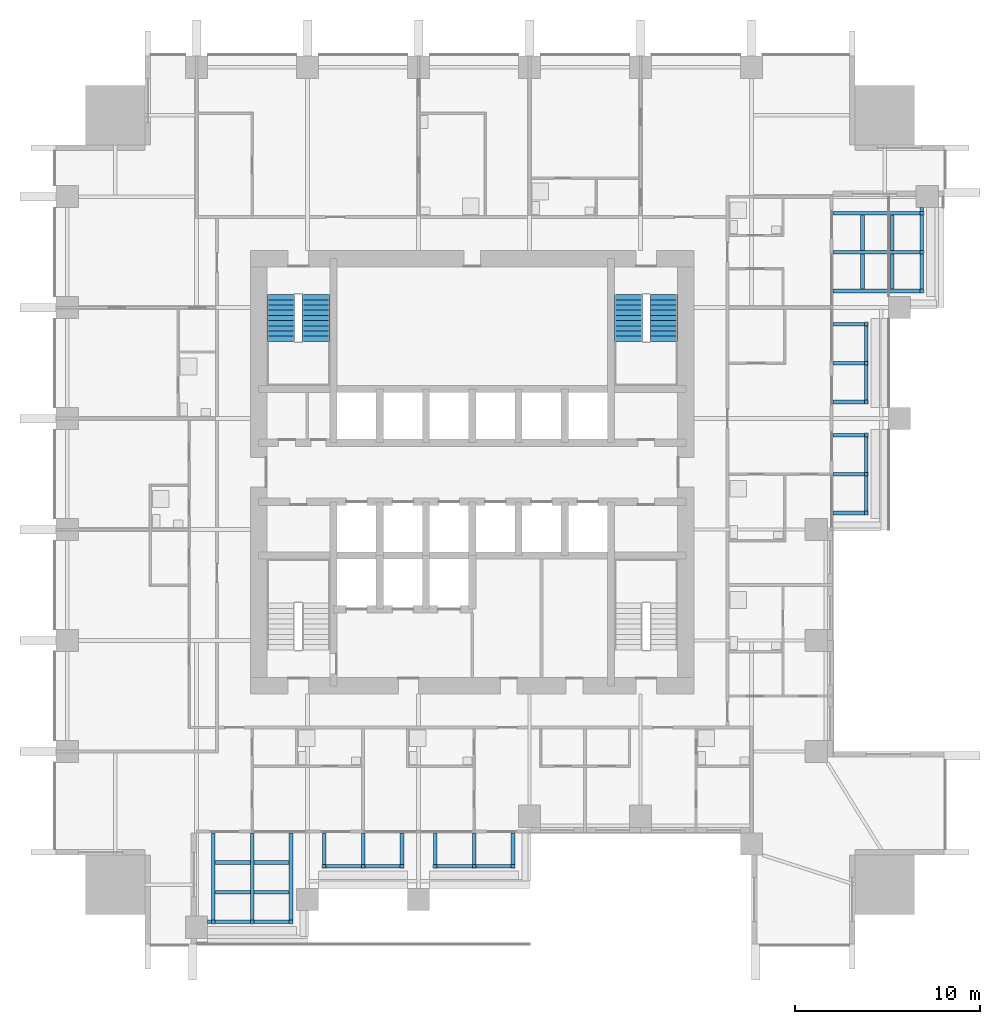
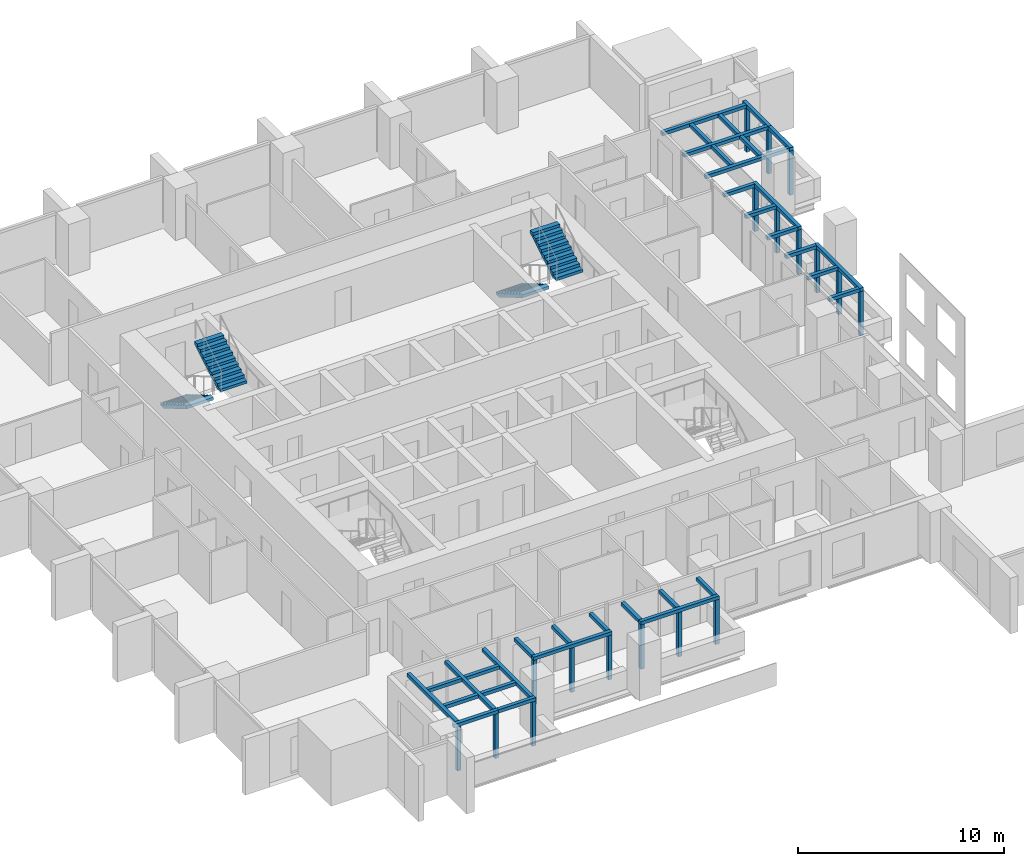
# One storey, part 12 of 15: 52 discrete accessories, 4 stair flights, 2 elements without a shape of their own.
"""IFC4 building model written with IfcOpenShell, lengths in metres."""

from ifc_helpers import new_model, si_unit, direction, frame, origin, origin_2d, place, context, subcontext, project, spatial, polyline, rectangle, outline, extrude, material, type_object, element, aggregate, save


model = new_model("IFC4")

# Units and contexts
model_context = context("Model", 3, precision=1e-05, world=origin(), true_north=direction((0.0, 1.0)))
body_context = subcontext(model_context, "Body", "Model", "MODEL_VIEW")
ifc_project = project(units=[si_unit("LENGTHUNIT", "METRE"), si_unit("AREAUNIT", "SQUARE_METRE"), si_unit("VOLUMEUNIT", "CUBIC_METRE"), si_unit("PLANEANGLEUNIT", "RADIAN"), si_unit("MASSUNIT", "GRAM", prefix="KILO")], contexts=[model_context])

# Site, building, storey
site_placement = place(None, origin())
site = spatial("IfcSite", under=ifc_project, at=site_placement, CompositionType="ELEMENT")
building_placement = place(site_placement, origin())
building = spatial("IfcBuilding", under=site, at=building_placement, Name="Amberfall Residences", CompositionType="ELEMENT")
storey_placement = place(building_placement, frame((0.0, 0.0, 53.199951171875)))
storey = spatial("IfcBuildingStorey", under=building, at=storey_placement, Name="L14", CompositionType="ELEMENT", Elevation=53.199951171875)

# Stair, stair flights
ifc_material = material(Name="Concrete C40", Category="concrete")
stair_type = type_object("IfcStairType", Name="Exit stair 20 risers 165.0 mm", PredefinedType="HALF_TURN_STAIR", material=ifc_material)
stair_1_placement = place(storey_placement, origin())
stair_1 = element("IfcStair", 1, at=stair_1_placement, inside=storey, type_object=stair_type, Name="L14 Exit stair 3", PredefinedType="HALF_TURN_STAIR")
stair_flight_type = type_object("IfcStairFlightType", Name="Stair flight 10 risers 165.0 mm", PredefinedType="STRAIGHT", material=ifc_material)
stair_flight_1_placement = place(storey_placement, frame((82.949951171875, 55.10009765625, 0.0), z_axis=(0.0, 0.0, 1.0), x_axis=(0.0, -1.0, 0.0)))
stair_flight_1 = element("IfcStairFlight", 2, at=stair_flight_1_placement, type_object=stair_flight_type, Name="ST3 flight 1", NumberOfRisers=10, NumberOfTreads=9, PredefinedType="STRAIGHT", RiserHeight=0.165, TreadLength=0.28, context=body_context, shape_type="SweptSolid", body=[
    extrude(outline(polyline([(0.0, 0.0), (0.0, 0.1650390625), (0.280029296875, 0.1650390625), (0.280029296875, 0.330078125), (0.56005859375, 0.330078125), (0.56005859375, 0.4951171875), (0.840087890625, 0.4951171875), (0.840087890625, 0.659912109375), (1.1201171875, 0.659912109375), (1.1201171875, 0.824951171875), (1.39990234375, 0.824951171875), (1.39990234375, 0.989990234375), (1.679931640625, 0.989990234375), (1.679931640625, 1.155029296875), (1.9599609375, 1.155029296875), (1.9599609375, 1.320068359375), (2.239990234375, 1.320068359375), (2.239990234375, 1.485107421875), (2.52001953125, 1.485107421875), (2.52001953125, 1.64990234375), (2.52001953125, 1.31103515625), (0.295166015625, 0.0), (0.0, 0.0)])), frame((0.0, 0.75, 0.0), z_axis=(0.0, -1.0, 0.0), x_axis=(1.0, 0.0, 0.0)), (0.0, 0.0, 1.0), 1.5),
])
stair_flight_2_placement = place(storey_placement, frame((84.85009765625, 52.580078125, 1.650146484375), z_axis=(0.0, 0.0, 1.0), x_axis=(0.0, 1.0, 0.0)))
stair_flight_2 = element("IfcStairFlight", 3, at=stair_flight_2_placement, type_object=stair_flight_type, Name="ST3 flight 2", NumberOfRisers=10, NumberOfTreads=9, PredefinedType="STRAIGHT", RiserHeight=0.165, TreadLength=0.28, context=body_context, shape_type="SweptSolid", body=[
    extrude(outline(polyline([(0.0, 0.0), (0.0, 0.1650390625), (0.280029296875, 0.1650390625), (0.280029296875, 0.330078125), (0.56005859375, 0.330078125), (0.56005859375, 0.4951171875), (0.840087890625, 0.4951171875), (0.840087890625, 0.659912109375), (1.1201171875, 0.659912109375), (1.1201171875, 0.824951171875), (1.39990234375, 0.824951171875), (1.39990234375, 0.989990234375), (1.679931640625, 0.989990234375), (1.679931640625, 1.155029296875), (1.9599609375, 1.155029296875), (1.9599609375, 1.320068359375), (2.239990234375, 1.320068359375), (2.239990234375, 1.485107421875), (2.52001953125, 1.485107421875), (2.52001953125, 1.64990234375), (2.52001953125, 1.31103515625), (0.295166015625, 0.0), (0.0, 0.0)])), frame((0.0, 0.75, 0.0), z_axis=(0.0, -1.0, 0.0), x_axis=(1.0, 0.0, 0.0)), (0.0, 0.0, 1.0), 1.5),
])
aggregate(stair_1, [stair_flight_1, stair_flight_2])

stair_2_placement = place(storey_placement, origin())
stair_2 = element("IfcStair", 4, at=stair_2_placement, inside=storey, type_object=stair_type, Name="L14 Exit stair 4", PredefinedType="HALF_TURN_STAIR")
stair_flight_3_placement = place(storey_placement, frame((64.14990234375, 55.10009765625, 0.0), z_axis=(0.0, 0.0, 1.0), x_axis=(0.0, -1.0, 0.0)))
stair_flight_3 = element("IfcStairFlight", 5, at=stair_flight_3_placement, type_object=stair_flight_type, Name="ST3 flight 1", NumberOfRisers=10, NumberOfTreads=9, PredefinedType="STRAIGHT", RiserHeight=0.165, TreadLength=0.28, context=body_context, shape_type="SweptSolid", body=[
    extrude(outline(polyline([(0.0, 0.0), (0.0, 0.1650390625), (0.280029296875, 0.1650390625), (0.280029296875, 0.330078125), (0.56005859375, 0.330078125), (0.56005859375, 0.4951171875), (0.840087890625, 0.4951171875), (0.840087890625, 0.659912109375), (1.1201171875, 0.659912109375), (1.1201171875, 0.824951171875), (1.39990234375, 0.824951171875), (1.39990234375, 0.989990234375), (1.679931640625, 0.989990234375), (1.679931640625, 1.155029296875), (1.9599609375, 1.155029296875), (1.9599609375, 1.320068359375), (2.239990234375, 1.320068359375), (2.239990234375, 1.485107421875), (2.52001953125, 1.485107421875), (2.52001953125, 1.64990234375), (2.52001953125, 1.31103515625), (0.295166015625, 0.0), (0.0, 0.0)])), frame((0.0, 0.75, 0.0), z_axis=(0.0, -1.0, 0.0), x_axis=(1.0, 0.0, 0.0)), (0.0, 0.0, 1.0), 1.5),
])
stair_flight_4_placement = place(storey_placement, frame((66.050048828125, 52.580078125, 1.650146484375), z_axis=(0.0, 0.0, 1.0), x_axis=(0.0, 1.0, 0.0)))
stair_flight_4 = element("IfcStairFlight", 6, at=stair_flight_4_placement, type_object=stair_flight_type, Name="ST3 flight 2", NumberOfRisers=10, NumberOfTreads=9, PredefinedType="STRAIGHT", RiserHeight=0.165, TreadLength=0.28, context=body_context, shape_type="SweptSolid", body=[
    extrude(outline(polyline([(0.0, 0.0), (0.0, 0.1650390625), (0.280029296875, 0.1650390625), (0.280029296875, 0.330078125), (0.56005859375, 0.330078125), (0.56005859375, 0.4951171875), (0.840087890625, 0.4951171875), (0.840087890625, 0.659912109375), (1.1201171875, 0.659912109375), (1.1201171875, 0.824951171875), (1.39990234375, 0.824951171875), (1.39990234375, 0.989990234375), (1.679931640625, 0.989990234375), (1.679931640625, 1.155029296875), (1.9599609375, 1.155029296875), (1.9599609375, 1.320068359375), (2.239990234375, 1.320068359375), (2.239990234375, 1.485107421875), (2.52001953125, 1.485107421875), (2.52001953125, 1.64990234375), (2.52001953125, 1.31103515625), (0.295166015625, 0.0), (0.0, 0.0)])), frame((0.0, 0.75, 0.0), z_axis=(0.0, -1.0, 0.0), x_axis=(1.0, 0.0, 0.0)), (0.0, 0.0, 1.0), 1.5),
])
aggregate(stair_2, [stair_flight_3, stair_flight_4])

# Discrete accessories
for number, where, z_axis, x_axis, name in (
    (7, (60.5, 21.199951171875, 0.0), (0.0, 0.0, 1.0), (1.0, 0.0, 0.0), "Trellis post L14 S1.1"),
    (8, (62.60009765625, 21.199951171875, 0.0), (0.0, 0.0, 1.0), (1.0, 0.0, 0.0), "Trellis post L14 S1.2"),
    (9, (64.699951171875, 21.199951171875, 0.0), (0.0, 0.0, 1.0), (1.0, 0.0, 0.0), "Trellis post L14 S1.3"),
):
    element("IfcDiscreteAccessory", number, at=place(storey_placement, frame(where, z_axis=z_axis, x_axis=x_axis)), inside=storey, Name=name, ObjectType="TRELLIS POST", PredefinedType="USERDEFINED", context=body_context, shape_type="SweptSolid", body=[
        extrude(rectangle(XDim=0.199951171875, YDim=0.199951171875, at=origin_2d()), origin(), (0.0, 0.0, 1.0), 2.6298828125),
    ])
discrete_accessory_1_placement = place(storey_placement, frame((61.449951171875, 21.199951171875, 2.6298828125), z_axis=(0.0, 0.0, 1.0), x_axis=(1.0, 0.0, 0.0)))
element("IfcDiscreteAccessory", 10, at=discrete_accessory_1_placement, inside=storey, Name="Trellis beam L14 S1.e1", ObjectType="TRELLIS BEAM", PredefinedType="USERDEFINED", context=body_context, shape_type="SweptSolid", body=[
    extrude(rectangle(XDim=2.5, YDim=0.199951171875, at=origin_2d()), origin(), (0.0, 0.0, 1.0), 0.199951171875),
])
discrete_accessory_2_placement = place(storey_placement, frame((63.75, 21.199951171875, 2.6298828125), z_axis=(0.0, 0.0, 1.0), x_axis=(1.0, 0.0, 0.0)))
element("IfcDiscreteAccessory", 11, at=discrete_accessory_2_placement, inside=storey, Name="Trellis beam L14 S1.e1.2", ObjectType="TRELLIS BEAM", PredefinedType="USERDEFINED", context=body_context, shape_type="SweptSolid", body=[
    extrude(rectangle(XDim=2.10009765625, YDim=0.199951171875, at=origin_2d()), origin(), (0.0, 0.0, 1.0), 0.199951171875),
])
for number, where, z_axis, x_axis, name in (
    (12, (61.550048828125, 22.800048828125, 2.6298828125), (0.0, 0.0, 1.0), (1.0, 0.0, 0.0), "Trellis beam L14 S1.c1.1"),
    (13, (63.64990234375, 22.800048828125, 2.6298828125), (0.0, 0.0, 1.0), (1.0, 0.0, 0.0), "Trellis beam L14 S1.c1.2"),
    (14, (61.550048828125, 24.39990234375, 2.6298828125), (0.0, 0.0, 1.0), (1.0, 0.0, 0.0), "Trellis beam L14 S1.c2.1"),
    (15, (63.64990234375, 24.39990234375, 2.6298828125), (0.0, 0.0, 1.0), (1.0, 0.0, 0.0), "Trellis beam L14 S1.c2.2"),
):
    element("IfcDiscreteAccessory", number, at=place(storey_placement, frame(where, z_axis=z_axis, x_axis=x_axis)), inside=storey, Name=name, ObjectType="TRELLIS BEAM", PredefinedType="USERDEFINED", context=body_context, shape_type="SweptSolid", body=[
        extrude(rectangle(XDim=1.89990234375, YDim=0.199951171875, at=origin_2d()), origin(), (0.0, 0.0, 1.0), 0.199951171875),
    ])
for number, where, z_axis, x_axis, name in (
    (16, (60.5, 23.64990234375, 2.6298828125), (0.0, 0.0, 1.0), (0.0, 1.0, 0.0), "Trellis beam L14 S1.b1"),
    (17, (62.60009765625, 23.64990234375, 2.6298828125), (0.0, 0.0, 1.0), (0.0, 1.0, 0.0), "Trellis beam L14 S1.b2"),
    (18, (64.699951171875, 23.64990234375, 2.6298828125), (0.0, 0.0, 1.0), (0.0, 1.0, 0.0), "Trellis beam L14 S1.b3"),
):
    element("IfcDiscreteAccessory", number, at=place(storey_placement, frame(where, z_axis=z_axis, x_axis=x_axis)), inside=storey, Name=name, ObjectType="TRELLIS BEAM", PredefinedType="USERDEFINED", context=body_context, shape_type="SweptSolid", body=[
        extrude(rectangle(XDim=4.699951171875, YDim=0.199951171875, at=origin_2d()), origin(), (0.0, 0.0, 1.0), 0.199951171875),
    ])
for number, where, z_axis, x_axis, name in (
    (19, (66.5, 24.199951171875, 0.0), (0.0, 0.0, 1.0), (1.0, 0.0, 0.0), "Trellis post L14 S2.1"),
    (20, (68.60009765625, 24.199951171875, 0.0), (0.0, 0.0, 1.0), (1.0, 0.0, 0.0), "Trellis post L14 S2.2"),
    (21, (70.699951171875, 24.199951171875, 0.0), (0.0, 0.0, 1.0), (1.0, 0.0, 0.0), "Trellis post L14 S2.3"),
):
    element("IfcDiscreteAccessory", number, at=place(storey_placement, frame(where, z_axis=z_axis, x_axis=x_axis)), inside=storey, Name=name, ObjectType="TRELLIS POST", PredefinedType="USERDEFINED", context=body_context, shape_type="SweptSolid", body=[
        extrude(rectangle(XDim=0.199951171875, YDim=0.199951171875, at=origin_2d()), origin(), (0.0, 0.0, 1.0), 2.6298828125),
    ])
discrete_accessory_3_placement = place(storey_placement, frame((68.60009765625, 24.199951171875, 2.6298828125), z_axis=(0.0, 0.0, 1.0), x_axis=(1.0, 0.0, 0.0)))
element("IfcDiscreteAccessory", 22, at=discrete_accessory_3_placement, inside=storey, Name="Trellis beam L14 S2.e1", ObjectType="TRELLIS BEAM", PredefinedType="USERDEFINED", context=body_context, shape_type="SweptSolid", body=[
    extrude(rectangle(XDim=4.39990234375, YDim=0.199951171875, at=origin_2d()), origin(), (0.0, 0.0, 1.0), 0.199951171875),
])
for number, where, z_axis, x_axis, name in (
    (23, (66.5, 25.14990234375, 2.6298828125), (0.0, 0.0, 1.0), (0.0, 1.0, 0.0), "Trellis beam L14 S2.b1"),
    (24, (68.60009765625, 25.14990234375, 2.6298828125), (0.0, 0.0, 1.0), (0.0, 1.0, 0.0), "Trellis beam L14 S2.b2"),
    (25, (70.699951171875, 25.14990234375, 2.6298828125), (0.0, 0.0, 1.0), (0.0, 1.0, 0.0), "Trellis beam L14 S2.b3"),
):
    element("IfcDiscreteAccessory", number, at=place(storey_placement, frame(where, z_axis=z_axis, x_axis=x_axis)), inside=storey, Name=name, ObjectType="TRELLIS BEAM", PredefinedType="USERDEFINED", context=body_context, shape_type="SweptSolid", body=[
        extrude(rectangle(XDim=1.699951171875, YDim=0.199951171875, at=origin_2d()), origin(), (0.0, 0.0, 1.0), 0.199951171875),
    ])
for number, where, z_axis, x_axis, name in (
    (26, (72.5, 24.199951171875, 0.0), (0.0, 0.0, 1.0), (1.0, 0.0, 0.0), "Trellis post L14 S3.1"),
    (27, (74.60009765625, 24.199951171875, 0.0), (0.0, 0.0, 1.0), (1.0, 0.0, 0.0), "Trellis post L14 S3.2"),
    (28, (76.699951171875, 24.199951171875, 0.0), (0.0, 0.0, 1.0), (1.0, 0.0, 0.0), "Trellis post L14 S3.3"),
):
    element("IfcDiscreteAccessory", number, at=place(storey_placement, frame(where, z_axis=z_axis, x_axis=x_axis)), inside=storey, Name=name, ObjectType="TRELLIS POST", PredefinedType="USERDEFINED", context=body_context, shape_type="SweptSolid", body=[
        extrude(rectangle(XDim=0.199951171875, YDim=0.199951171875, at=origin_2d()), origin(), (0.0, 0.0, 1.0), 2.6298828125),
    ])
discrete_accessory_4_placement = place(storey_placement, frame((74.60009765625, 24.199951171875, 2.6298828125), z_axis=(0.0, 0.0, 1.0), x_axis=(1.0, 0.0, 0.0)))
element("IfcDiscreteAccessory", 29, at=discrete_accessory_4_placement, inside=storey, Name="Trellis beam L14 S3.e1", ObjectType="TRELLIS BEAM", PredefinedType="USERDEFINED", context=body_context, shape_type="SweptSolid", body=[
    extrude(rectangle(XDim=4.39990234375, YDim=0.199951171875, at=origin_2d()), origin(), (0.0, 0.0, 1.0), 0.199951171875),
])
for number, where, z_axis, x_axis, name in (
    (30, (72.5, 25.14990234375, 2.6298828125), (0.0, 0.0, 1.0), (0.0, 1.0, 0.0), "Trellis beam L14 S3.b1"),
    (31, (74.60009765625, 25.14990234375, 2.6298828125), (0.0, 0.0, 1.0), (0.0, 1.0, 0.0), "Trellis beam L14 S3.b2"),
    (32, (76.699951171875, 25.14990234375, 2.6298828125), (0.0, 0.0, 1.0), (0.0, 1.0, 0.0), "Trellis beam L14 S3.b3"),
):
    element("IfcDiscreteAccessory", number, at=place(storey_placement, frame(where, z_axis=z_axis, x_axis=x_axis)), inside=storey, Name=name, ObjectType="TRELLIS BEAM", PredefinedType="USERDEFINED", context=body_context, shape_type="SweptSolid", body=[
        extrude(rectangle(XDim=1.699951171875, YDim=0.199951171875, at=origin_2d()), origin(), (0.0, 0.0, 1.0), 0.199951171875),
    ])
for number, where, z_axis, x_axis, name in (
    (33, (95.800048828125, 43.300048828125, 0.0), (0.0, 0.0, 1.0), (1.0, 0.0, 0.0), "Trellis post L14 E3.1"),
    (34, (95.800048828125, 45.39990234375, 0.0), (0.0, 0.0, 1.0), (1.0, 0.0, 0.0), "Trellis post L14 E3.2"),
    (35, (95.800048828125, 47.5, 0.0), (0.0, 0.0, 1.0), (1.0, 0.0, 0.0), "Trellis post L14 E3.3"),
):
    element("IfcDiscreteAccessory", number, at=place(storey_placement, frame(where, z_axis=z_axis, x_axis=x_axis)), inside=storey, Name=name, ObjectType="TRELLIS POST", PredefinedType="USERDEFINED", context=body_context, shape_type="SweptSolid", body=[
        extrude(rectangle(XDim=0.199951171875, YDim=0.199951171875, at=origin_2d()), origin(), (0.0, 0.0, 1.0), 2.6298828125),
    ])
discrete_accessory_5_placement = place(storey_placement, frame((95.800048828125, 45.39990234375, 2.6298828125), z_axis=(0.0, 0.0, 1.0), x_axis=(0.0, 1.0, 0.0)))
element("IfcDiscreteAccessory", 36, at=discrete_accessory_5_placement, inside=storey, Name="Trellis beam L14 E3.e1", ObjectType="TRELLIS BEAM", PredefinedType="USERDEFINED", context=body_context, shape_type="SweptSolid", body=[
    extrude(rectangle(XDim=4.39990234375, YDim=0.199951171875, at=origin_2d()), origin(), (0.0, 0.0, 1.0), 0.199951171875),
])
for number, where, z_axis, x_axis, name in (
    (37, (94.85009765625, 43.300048828125, 2.6298828125), (0.0, 0.0, 1.0), (-1.0, 0.0, 0.0), "Trellis beam L14 E3.b1"),
    (38, (94.85009765625, 45.39990234375, 2.6298828125), (0.0, 0.0, 1.0), (-1.0, 0.0, 0.0), "Trellis beam L14 E3.b2"),
    (39, (94.85009765625, 47.5, 2.6298828125), (0.0, 0.0, 1.0), (-1.0, 0.0, 0.0), "Trellis beam L14 E3.b3"),
):
    element("IfcDiscreteAccessory", number, at=place(storey_placement, frame(where, z_axis=z_axis, x_axis=x_axis)), inside=storey, Name=name, ObjectType="TRELLIS BEAM", PredefinedType="USERDEFINED", context=body_context, shape_type="SweptSolid", body=[
        extrude(rectangle(XDim=1.699951171875, YDim=0.199951171875, at=origin_2d()), origin(), (0.0, 0.0, 1.0), 0.199951171875),
    ])
for number, where, z_axis, x_axis, name in (
    (40, (95.800048828125, 49.300048828125, 0.0), (0.0, 0.0, 1.0), (1.0, 0.0, 0.0), "Trellis post L14 E4.1"),
    (41, (95.800048828125, 51.39990234375, 0.0), (0.0, 0.0, 1.0), (1.0, 0.0, 0.0), "Trellis post L14 E4.2"),
    (42, (95.800048828125, 53.5, 0.0), (0.0, 0.0, 1.0), (1.0, 0.0, 0.0), "Trellis post L14 E4.3"),
):
    element("IfcDiscreteAccessory", number, at=place(storey_placement, frame(where, z_axis=z_axis, x_axis=x_axis)), inside=storey, Name=name, ObjectType="TRELLIS POST", PredefinedType="USERDEFINED", context=body_context, shape_type="SweptSolid", body=[
        extrude(rectangle(XDim=0.199951171875, YDim=0.199951171875, at=origin_2d()), origin(), (0.0, 0.0, 1.0), 2.6298828125),
    ])
discrete_accessory_6_placement = place(storey_placement, frame((95.800048828125, 51.39990234375, 2.6298828125), z_axis=(0.0, 0.0, 1.0), x_axis=(0.0, 1.0, 0.0)))
element("IfcDiscreteAccessory", 43, at=discrete_accessory_6_placement, inside=storey, Name="Trellis beam L14 E4.e1", ObjectType="TRELLIS BEAM", PredefinedType="USERDEFINED", context=body_context, shape_type="SweptSolid", body=[
    extrude(rectangle(XDim=4.39990234375, YDim=0.199951171875, at=origin_2d()), origin(), (0.0, 0.0, 1.0), 0.199951171875),
])
for number, where, z_axis, x_axis, name in (
    (44, (94.85009765625, 49.300048828125, 2.6298828125), (0.0, 0.0, 1.0), (-1.0, 0.0, 0.0), "Trellis beam L14 E4.b1"),
    (45, (94.85009765625, 51.39990234375, 2.6298828125), (0.0, 0.0, 1.0), (-1.0, 0.0, 0.0), "Trellis beam L14 E4.b2"),
    (46, (94.85009765625, 53.5, 2.6298828125), (0.0, 0.0, 1.0), (-1.0, 0.0, 0.0), "Trellis beam L14 E4.b3"),
):
    element("IfcDiscreteAccessory", number, at=place(storey_placement, frame(where, z_axis=z_axis, x_axis=x_axis)), inside=storey, Name=name, ObjectType="TRELLIS BEAM", PredefinedType="USERDEFINED", context=body_context, shape_type="SweptSolid", body=[
        extrude(rectangle(XDim=1.699951171875, YDim=0.199951171875, at=origin_2d()), origin(), (0.0, 0.0, 1.0), 0.199951171875),
    ])
for number, where, z_axis, x_axis, name in (
    (47, (98.800048828125, 55.300048828125, 0.0), (0.0, 0.0, 1.0), (1.0, 0.0, 0.0), "Trellis post L14 E5.1"),
    (48, (98.800048828125, 57.39990234375, 0.0), (0.0, 0.0, 1.0), (1.0, 0.0, 0.0), "Trellis post L14 E5.2"),
    (49, (98.800048828125, 59.5, 0.0), (0.0, 0.0, 1.0), (1.0, 0.0, 0.0), "Trellis post L14 E5.3"),
):
    element("IfcDiscreteAccessory", number, at=place(storey_placement, frame(where, z_axis=z_axis, x_axis=x_axis)), inside=storey, Name=name, ObjectType="TRELLIS POST", PredefinedType="USERDEFINED", context=body_context, shape_type="SweptSolid", body=[
        extrude(rectangle(XDim=0.199951171875, YDim=0.199951171875, at=origin_2d()), origin(), (0.0, 0.0, 1.0), 2.6298828125),
    ])
discrete_accessory_7_placement = place(storey_placement, frame((98.800048828125, 58.550048828125, 2.6298828125), z_axis=(0.0, 0.0, 1.0), x_axis=(0.0, 1.0, 0.0)))
element("IfcDiscreteAccessory", 50, at=discrete_accessory_7_placement, inside=storey, Name="Trellis beam L14 E5.e1", ObjectType="TRELLIS BEAM", PredefinedType="USERDEFINED", context=body_context, shape_type="SweptSolid", body=[
    extrude(rectangle(XDim=2.5, YDim=0.199951171875, at=origin_2d()), origin(), (0.0, 0.0, 1.0), 0.199951171875),
])
discrete_accessory_8_placement = place(storey_placement, frame((98.800048828125, 56.25, 2.6298828125), z_axis=(0.0, 0.0, 1.0), x_axis=(0.0, 1.0, 0.0)))
element("IfcDiscreteAccessory", 51, at=discrete_accessory_8_placement, inside=storey, Name="Trellis beam L14 E5.e1.2", ObjectType="TRELLIS BEAM", PredefinedType="USERDEFINED", context=body_context, shape_type="SweptSolid", body=[
    extrude(rectangle(XDim=2.10009765625, YDim=0.199951171875, at=origin_2d()), origin(), (0.0, 0.0, 1.0), 0.199951171875),
])
for number, where, z_axis, x_axis, name in (
    (52, (97.199951171875, 56.35009765625, 2.6298828125), (0.0, 0.0, 1.0), (0.0, 1.0, 0.0), "Trellis beam L14 E5.c1.1"),
    (53, (97.199951171875, 58.449951171875, 2.6298828125), (0.0, 0.0, 1.0), (0.0, 1.0, 0.0), "Trellis beam L14 E5.c1.2"),
    (54, (95.60009765625, 56.35009765625, 2.6298828125), (0.0, 0.0, 1.0), (0.0, 1.0, 0.0), "Trellis beam L14 E5.c2.1"),
    (55, (95.60009765625, 58.449951171875, 2.6298828125), (0.0, 0.0, 1.0), (0.0, 1.0, 0.0), "Trellis beam L14 E5.c2.2"),
):
    element("IfcDiscreteAccessory", number, at=place(storey_placement, frame(where, z_axis=z_axis, x_axis=x_axis)), inside=storey, Name=name, ObjectType="TRELLIS BEAM", PredefinedType="USERDEFINED", context=body_context, shape_type="SweptSolid", body=[
        extrude(rectangle(XDim=1.89990234375, YDim=0.199951171875, at=origin_2d()), origin(), (0.0, 0.0, 1.0), 0.199951171875),
    ])
for number, where, z_axis, x_axis, name in (
    (56, (96.35009765625, 55.300048828125, 2.6298828125), (0.0, 0.0, 1.0), (-1.0, 0.0, 0.0), "Trellis beam L14 E5.b1"),
    (57, (96.35009765625, 57.39990234375, 2.6298828125), (0.0, 0.0, 1.0), (-1.0, 0.0, 0.0), "Trellis beam L14 E5.b2"),
    (58, (96.35009765625, 59.5, 2.6298828125), (0.0, 0.0, 1.0), (-1.0, 0.0, 0.0), "Trellis beam L14 E5.b3"),
):
    element("IfcDiscreteAccessory", number, at=place(storey_placement, frame(where, z_axis=z_axis, x_axis=x_axis)), inside=storey, Name=name, ObjectType="TRELLIS BEAM", PredefinedType="USERDEFINED", context=body_context, shape_type="SweptSolid", body=[
        extrude(rectangle(XDim=4.699951171875, YDim=0.199951171875, at=origin_2d()), origin(), (0.0, 0.0, 1.0), 0.199951171875),
    ])

save(model, "model.ifc")
